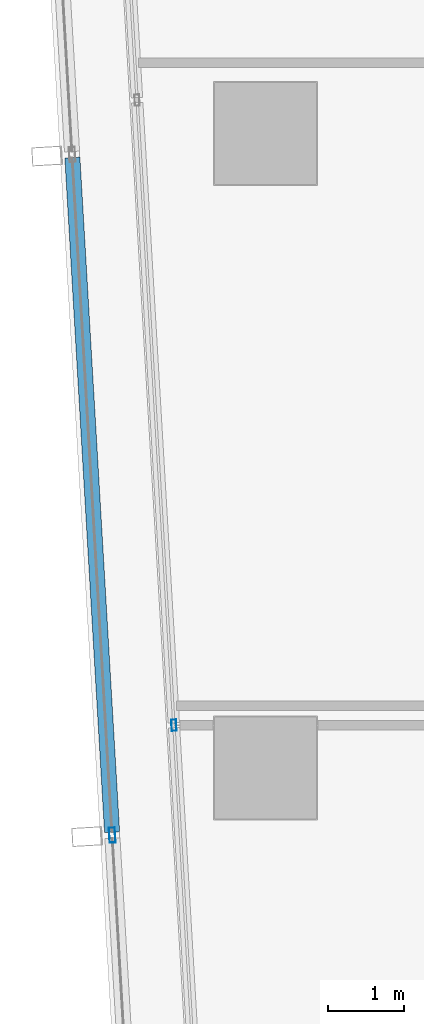
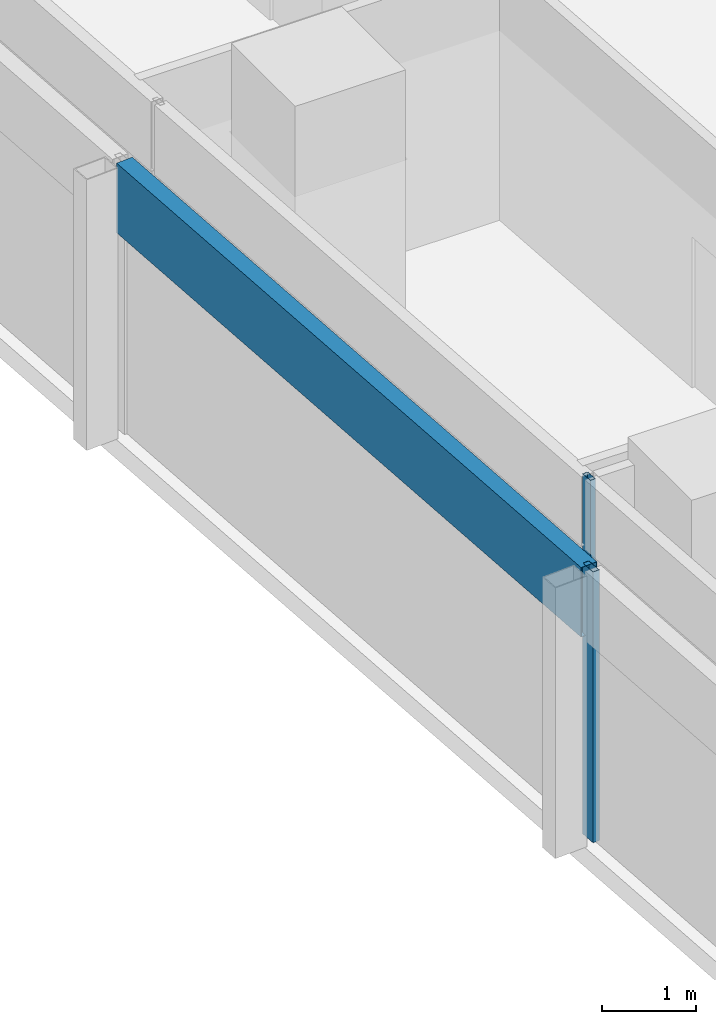
# One storey, part 5 of 39: 3 members, 2 elements without a shape of their own.
"""IFC4 building model written with IfcOpenShell, lengths in metres."""

from ifc_helpers import new_model, si_unit, direction, frame, origin, origin_2d, place, context, subcontext, project, spatial, hollow_rectangle, extrude, material, material_profile, profile_set, type_object, element, aggregate, save


model = new_model("IFC4")

# Units and contexts
model_context = context("Model", 3, precision=1e-05, world=origin(), true_north=direction((0.0, 1.0)))
body_context = subcontext(model_context, "Body", "Model", "MODEL_VIEW")
ifc_project = project(units=[si_unit("LENGTHUNIT", "METRE"), si_unit("AREAUNIT", "SQUARE_METRE"), si_unit("VOLUMEUNIT", "CUBIC_METRE"), si_unit("PLANEANGLEUNIT", "RADIAN"), si_unit("MASSUNIT", "GRAM", prefix="KILO")], contexts=[model_context])

# Site, building, storey
site_placement = place(None, origin())
site = spatial("IfcSite", under=ifc_project, at=site_placement, CompositionType="ELEMENT")
building_placement = place(site_placement, origin())
building = spatial("IfcBuilding", under=site, at=building_placement, Name="Rekha Terrace Tower", CompositionType="ELEMENT")
storey_placement = place(building_placement, frame((0.0, 0.0, 187.699951171875)))
storey = spatial("IfcBuildingStorey", under=building, at=storey_placement, Name="L47", CompositionType="ELEMENT", Elevation=187.699951171875)

# Curtain wall, member
ifc_material_1 = material(Name="Aluminium framing", Category="aluminium")
curtain_wall_type_1 = type_object("IfcCurtainWallType", Name="CW1 double skin inner glazing", PredefinedType="USERDEFINED", material=ifc_material_1)
curtain_wall_1_placement = place(storey_placement, origin())
curtain_wall_1 = element("IfcCurtainWall", 1, at=curtain_wall_1_placement, inside=storey, type_object=curtain_wall_type_1, Name="CW1 double skin inner glazing", ObjectType="DOUBLE SKIN INNER GLAZING", PredefinedType="USERDEFINED")
ifc_material_2 = material(Name="Aluminium mullion section", Category="aluminium")
ifc_material_profile_1 = material_profile(ifc_material_2, hollow_rectangle(XDim=0.06494140625, YDim=0.14990234375, WallThickness=0.00390625, at=origin_2d()), Name="AL RHS 65x150")
ifc_profile_set_1 = profile_set([ifc_material_profile_1], Name="Aluminium mullion section")
member_type_1 = type_object("IfcMemberType", Name="CW1 mullion RHS 65 x 150", PredefinedType="MULLION", material=ifc_profile_set_1)
member_1_placement = place(storey_placement, frame((7.18701171875, 25.76611328125, 0.0), z_axis=(0.0, 0.0, 1.0), x_axis=(0.998271839269, 0.058765082516, 0.0)))
member_1 = element("IfcMember", 2, at=member_1_placement, type_object=member_type_1, Name="CW1 mullion 3", PredefinedType="MULLION", context=body_context, shape_type="SweptSolid", body=[
    extrude(hollow_rectangle(XDim=0.06494140625, YDim=0.14990234375, WallThickness=0.00390625, at=origin_2d()), origin(), (0.0, 0.0, 1.0), 3.5),
])
aggregate(curtain_wall_1, [member_1])

# Curtain wall, members
curtain_wall_type_2 = type_object("IfcCurtainWallType", Name="CW2 double skin outer glazing", PredefinedType="USERDEFINED", material=ifc_material_1)
curtain_wall_2_placement = place(storey_placement, origin())
curtain_wall_2 = element("IfcCurtainWall", 3, at=curtain_wall_2_placement, inside=storey, type_object=curtain_wall_type_2, Name="CW2 double skin outer glazing", ObjectType="DOUBLE SKIN OUTER GLAZING", PredefinedType="USERDEFINED")
ifc_material_profile_2 = material_profile(ifc_material_2, hollow_rectangle(XDim=0.080078125, YDim=0.199951171875, WallThickness=0.00390625, at=origin_2d()), Name="AL RHS 80x200")
ifc_profile_set_2 = profile_set([ifc_material_profile_2], Name="Aluminium mullion section")
member_type_2 = type_object("IfcMemberType", Name="CW2 mullion RHS 80 x 200", PredefinedType="MULLION", material=ifc_profile_set_2)
member_2_placement = place(storey_placement, frame((6.370849609375, 24.31201171875, 0.0), z_axis=(0.0, 0.0, 1.0), x_axis=(0.99827183927, 0.058765082499, 0.0)))
member_2 = element("IfcMember", 4, at=member_2_placement, type_object=member_type_2, Name="CW2 mullion 3", PredefinedType="MULLION", context=body_context, shape_type="SweptSolid", body=[
    extrude(hollow_rectangle(XDim=0.080078125, YDim=0.199951171875, WallThickness=0.00390625, at=origin_2d()), origin(), (0.0, 0.0, 1.0), 3.5),
])
ifc_material_3 = material(Name="Insulated aluminium spandrel box", Category="aluminium")
ifc_material_profile_3 = material_profile(ifc_material_3, hollow_rectangle(XDim=0.199951171875, YDim=0.89990234375, WallThickness=0.0029296875, at=origin_2d()), Name="AL SPANDREL BOX 200x900")
ifc_profile_set_3 = profile_set([ifc_material_profile_3], Name="Insulated aluminium spandrel box")
member_type_3 = type_object("IfcMemberType", Name="CW2 spandrel transom 200 x 900", PredefinedType="USERDEFINED", material=ifc_profile_set_3)
member_3_placement = place(storey_placement, frame((5.843017578125, 33.27978515625, 3.050048828125), z_axis=(0.058773229711, -0.998271359636, 0.0), x_axis=(0.998271359636, 0.058773229711, 0.0)))
member_3 = element("IfcMember", 5, at=member_3_placement, type_object=member_type_3, Name="CW2 spandrel transom 2", ObjectType="TRANSOM", PredefinedType="USERDEFINED", context=body_context, shape_type="SweptSolid", body=[
    extrude(hollow_rectangle(XDim=0.199951171875, YDim=0.89990234375, WallThickness=0.0029296875, at=origin_2d()), origin(), (0.0, 0.0, 1.0), 8.943359375),
])
aggregate(curtain_wall_2, [member_2, member_3])

save(model, "model.ifc")
